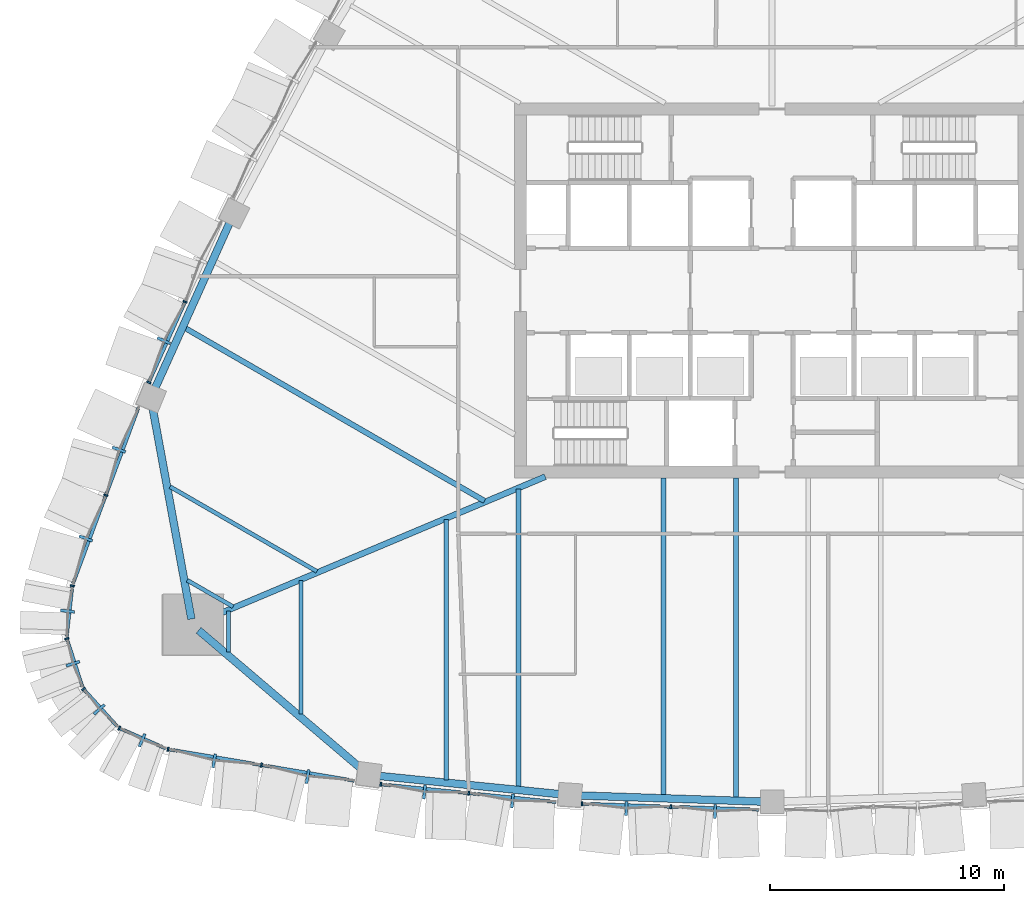
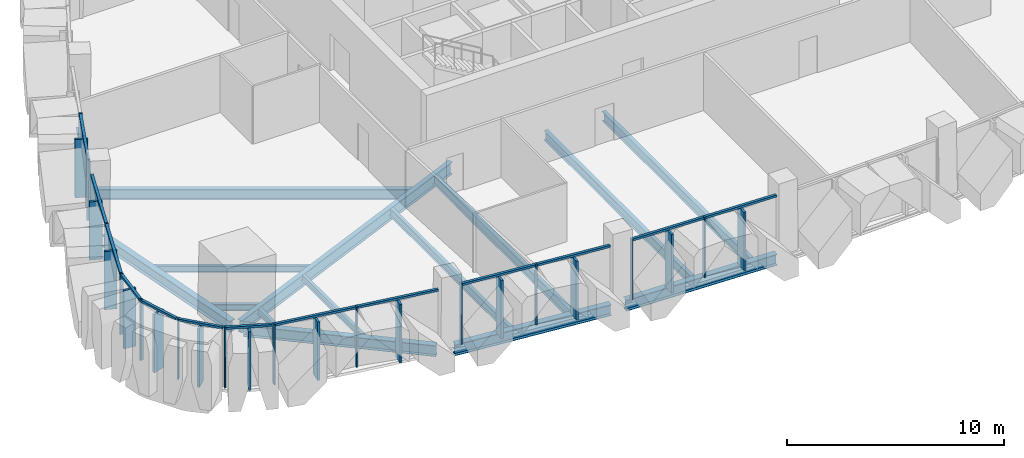
# One storey, part 2 of 18: 39 members, 15 beams, 9 elements without a shape of their own.
"""IFC4 building model written with IfcOpenShell, lengths in metres."""

import ifcopenshell
import ifcopenshell.guid

model = None  # the IFC model being written
_history = None  # IfcOwnerHistory: only IFC2X3 demands one
_inside = {}  # id of a spatial element -> (the spatial element, [elements in it])
_under = {}  # id of a project, library or spatial element -> (it, [spatial elements below it])
_declared = {}  # id of a project -> (the project, [libraries it declares])
_typed = {}  # id of a type object -> (the type object, [elements of that type])
_made_of = {}  # id of a material, layer set ... -> (it, [elements and type objects made of it])


def new_model(schema):
    """Start an empty IFC model of exactly this schema.

    Asked for "IFC4X3", IfcOpenShell would pick the latest addendum, in which some entities
    have other attributes; the version numbers below select the first issue.
    IFC2X3 requires an IfcOwnerHistory on every rooted entity: one is made here for all.
    """
    global model, _history
    if schema == "IFC4X3":
        model = ifcopenshell.file(schema_version=(4, 3, 0, 0))
    else:
        model = ifcopenshell.file(schema=schema)
    _inside.clear()
    _under.clear()
    _declared.clear()
    _typed.clear()
    _made_of.clear()
    _history = None
    if model.schema == "IFC2X3":
        org = make("IfcOrganization", Name="unknown")
        user = make(
            "IfcPersonAndOrganization",
            ThePerson=make("IfcPerson", FamilyName="unknown"),
            TheOrganization=org,
        )
        app = make(
            "IfcApplication",
            ApplicationDeveloper=org,
            Version="unknown",
            ApplicationFullName="unknown",
            ApplicationIdentifier="unknown",
        )
        _history = make(
            "IfcOwnerHistory",
            OwningUser=user,
            OwningApplication=app,
            ChangeAction="ADDED",
            CreationDate=0,
        )
    return model


def make(cls, **values):
    """One entity of the class cls with the attributes given. An attribute that is None is left unset."""
    return model.create_entity(
        cls, **{name: value for name, value in values.items() if value is not None}
    )


def rooted(cls, **values):
    """An entity with a GlobalId (a new one), such as an element, a storey or a relation."""
    return make(cls, GlobalId=ifcopenshell.guid.new(), OwnerHistory=_history, **values)


def si_unit(unit_type, name, prefix=None):
    """IfcSIUnit, for example si_unit("LENGTHUNIT", "METRE", prefix="MILLI")."""
    return make("IfcSIUnit", UnitType=unit_type, Prefix=prefix, Name=name)


def assignment(units):
    """IfcUnitAssignment: the units of a project."""
    return None if units is None else make("IfcUnitAssignment", Units=units)


def point(xyz):
    """IfcCartesianPoint."""
    return None if xyz is None else make("IfcCartesianPoint", Coordinates=xyz)


def direction(xyz):
    """IfcDirection."""
    return None if xyz is None else make("IfcDirection", DirectionRatios=xyz)


def frame(location, z_axis=None, x_axis=None):
    """IfcAxis2Placement3D, a coordinate frame: its origin and axes. An axis left out is left unset."""
    return make(
        "IfcAxis2Placement3D",
        Location=point(location),
        Axis=direction(z_axis),
        RefDirection=direction(x_axis),
    )


def frame_2d(location, x_axis=None):
    """IfcAxis2Placement2D, a coordinate frame in the plane: its origin and x axis."""
    return make(
        "IfcAxis2Placement2D", Location=point(location), RefDirection=direction(x_axis)
    )


def origin():
    """The frame at (0, 0, 0) with its axes left unset."""
    return frame((0.0, 0.0, 0.0))


def origin_2d():
    """The frame at (0, 0) in the plane with its x axis left unset."""
    return frame_2d((0.0, 0.0))


def place(relative_to, where):
    """IfcLocalPlacement: puts the frame where relative to a parent placement (None: the world)."""
    return make(
        "IfcLocalPlacement", PlacementRelTo=relative_to, RelativePlacement=where
    )


def context(
    kind, dimensions, precision=None, world=None, true_north=None, identifier=None
):
    """IfcGeometricRepresentationContext, for example the 3D "Model" context."""
    return make(
        "IfcGeometricRepresentationContext",
        ContextIdentifier=identifier,
        ContextType=kind,
        CoordinateSpaceDimension=dimensions,
        Precision=precision,
        WorldCoordinateSystem=world,
        TrueNorth=true_north,
    )


def subcontext(parent, identifier, kind, view, scale=None):
    """IfcGeometricRepresentationSubContext, for example "Body" below "Model"."""
    return make(
        "IfcGeometricRepresentationSubContext",
        ContextIdentifier=identifier,
        ContextType=kind,
        ParentContext=parent,
        TargetScale=scale,
        TargetView=view,
    )


def project(units=None, contexts=None):
    """IfcProject with its units and contexts."""
    return rooted(
        "IfcProject",
        Name="project",
        RepresentationContexts=contexts,
        UnitsInContext=assignment(units),
    )


def spatial(cls, under=None, at=None, **own):
    """A site, building, storey or space (cls), placed at a placement, below another one or the project."""
    s = rooted(cls, ObjectPlacement=at, **own)
    if under is not None:
        _under.setdefault(under.id(), (under, []))[1].append(s)
    return s


def profile(cls, at=None, kind="AREA", **sizes):
    """A parametric profile (cls). Its sizes go by their IFC names, for example OverallWidth=200.0."""
    return make(cls, ProfileType=kind, Position=at, **sizes)


def rectangle(**sizes):
    """IfcRectangleProfileDef."""
    return profile("IfcRectangleProfileDef", **sizes)


def i_section(**sizes):
    """IfcIShapeProfileDef."""
    return profile("IfcIShapeProfileDef", **sizes)


def extrude(swept, where, along, depth):
    """IfcExtrudedAreaSolid: the profile swept, set in the frame where, extruded along a direction by depth."""
    return make(
        "IfcExtrudedAreaSolid",
        SweptArea=swept,
        Position=where,
        ExtrudedDirection=direction(along),
        Depth=depth,
    )


def shape(context_of_items, identifier, shape_type, items):
    """IfcShapeRepresentation: the items that make up one representation, for example the "Body"."""
    return make(
        "IfcShapeRepresentation",
        ContextOfItems=context_of_items,
        RepresentationIdentifier=identifier,
        RepresentationType=shape_type,
        Items=items,
    )


def material(Name=None, Category=None):
    """IfcMaterial."""
    return make("IfcMaterial", Name=Name, Category=Category)


def layer(
    of_material, thickness, ventilated=None, Name=None, Category=None, Priority=None
):
    """IfcMaterialLayer: one layer of a wall or slab, of a material (None: an air gap)."""
    return make(
        "IfcMaterialLayer",
        Material=of_material,
        LayerThickness=thickness,
        IsVentilated=ventilated,
        Name=Name,
        Category=Category,
        Priority=Priority,
    )


def layer_set(layers, Name=None):
    """IfcMaterialLayerSet."""
    return make("IfcMaterialLayerSet", MaterialLayers=layers, LayerSetName=Name)


def material_profile(
    of_material, cross_section, Name=None, Category=None, Priority=None
):
    """IfcMaterialProfile: a cross section and its material."""
    return make(
        "IfcMaterialProfile",
        Name=Name,
        Material=of_material,
        Profile=cross_section,
        Priority=Priority,
        Category=Category,
    )


def profile_set(profiles, Name=None, composite=None):
    """IfcMaterialProfileSet."""
    return make(
        "IfcMaterialProfileSet",
        Name=Name,
        MaterialProfiles=profiles,
        CompositeProfile=composite,
    )


def made_of(thing, what):
    """Note that an element or type object is made of a material, layer set ...; save() writes the relation."""
    if what is not None:
        _made_of.setdefault(what.id(), (what, []))[1].append(thing)
    return thing


def type_object(cls, material=None, **own):
    """A type object (cls), such as IfcWallType, which elements share."""
    return made_of(rooted(cls, **own), material)


def element(
    cls,
    number,
    at=None,
    inside=None,
    cuts=None,
    type_object=None,
    material=None,
    context=None,
    identifier="Body",
    shape_type=None,
    held_by="IfcProductDefinitionShape",
    body=None,
    shapes=None,
    **own,
):
    """One element of the class cls, such as IfcWall. Its Tag is "e" and its number.

    at: its placement. inside: the storey or other place that contains it. cuts: it is an
    opening in that element (IfcRelVoidsElement). A single representation is given by context,
    identifier, shape_type and body (its items); several are given by shapes. held_by: the class
    of the entity that holds the representations. save() writes the other relations.
    """
    e = rooted(cls, Tag="e%d" % number, ObjectPlacement=at, **own)
    if body is not None:
        shapes = [shape(context, identifier, shape_type, body)]
    if shapes is not None:
        e.Representation = make(held_by, Representations=shapes)
    if inside is not None:
        _inside.setdefault(inside.id(), (inside, []))[1].append(e)
    if cuts is not None:
        rooted(
            "IfcRelVoidsElement", RelatingBuildingElement=cuts, RelatedOpeningElement=e
        )
    if type_object is not None:
        _typed.setdefault(type_object.id(), (type_object, []))[1].append(e)
    return made_of(e, material)


def aggregate(whole, parts):
    """IfcRelAggregates: a whole, such as a stair, and the parts it consists of."""
    return rooted("IfcRelAggregates", RelatingObject=whole, RelatedObjects=parts)


def save(model, path):
    """Write the relations noted so far, then the file.

    IfcRelAggregates (storeys below a building ...), IfcRelContainedInSpatialStructure (elements
    in a storey), IfcRelDefinesByType, IfcRelAssociatesMaterial and IfcRelDeclares: one each for
    every whole, place, type object, material and project.
    """
    for whole, parts in _under.values():
        aggregate(whole, parts)
    for where, things in _inside.values():
        rooted(
            "IfcRelContainedInSpatialStructure",
            RelatedElements=things,
            RelatingStructure=where,
        )
    for kind, things in _typed.values():
        rooted("IfcRelDefinesByType", RelatedObjects=things, RelatingType=kind)
    for what, things in _made_of.values():
        rooted("IfcRelAssociatesMaterial", RelatedObjects=things, RelatingMaterial=what)
    for by, libraries in _declared.values():
        rooted("IfcRelDeclares", RelatingContext=by, RelatedDefinitions=libraries)
    model.write(path)


model = new_model("IFC4")

# Units and contexts
model_context = context("Model", 3, precision=1e-05, world=origin(), true_north=direction((0.0, 1.0)))
body_context = subcontext(model_context, "Body", "Model", "MODEL_VIEW")
ifc_project = project(units=[si_unit("LENGTHUNIT", "METRE"), si_unit("AREAUNIT", "SQUARE_METRE"), si_unit("VOLUMEUNIT", "CUBIC_METRE"), si_unit("PLANEANGLEUNIT", "RADIAN"), si_unit("MASSUNIT", "GRAM", prefix="KILO")], contexts=[model_context])

# Site, building, storey
site_placement = place(None, origin())
site = spatial("IfcSite", under=ifc_project, at=site_placement, CompositionType="ELEMENT")
building_placement = place(site_placement, origin())
building = spatial("IfcBuilding", under=site, at=building_placement, Name="Sierra Prisma Convention Tower", CompositionType="ELEMENT")
storey_placement = place(building_placement, frame((0.0, 0.0, 137.800048828125)))
storey = spatial("IfcBuildingStorey", under=building, at=storey_placement, Name="L29", CompositionType="ELEMENT", Elevation=137.800048828125)

# Curtain wall, members
ifc_material_1 = material(Name="Aluminium and glass curtain wall", Category="aluminium")
ifc_layer = layer(ifc_material_1, 0.179931640625)
ifc_layer_set = layer_set([ifc_layer], Name="CW-2 Faceted crystal curtain wall")
curtain_wall_type = type_object("IfcCurtainWallType", Name="CW-2 Faceted crystal curtain wall", PredefinedType="NOTDEFINED", material=ifc_layer_set)
curtain_wall_1_placement = place(storey_placement, origin())
curtain_wall_1 = element("IfcCurtainWall", 1, at=curtain_wall_1_placement, inside=storey, type_object=curtain_wall_type, Name="CW-2 S1 L29", PredefinedType="NOTDEFINED")
ifc_material_2 = material(Name="Aluminium 6063-T6 bronze anodised", Category="aluminium")
ifc_material_profile_1 = material_profile(ifc_material_2, rectangle(XDim=0.1201171875, YDim=0.60009765625, at=origin_2d()), Name="ALU RIDGE BLADE 120x600")
ifc_profile_set_1 = profile_set([ifc_material_profile_1], Name="Aluminium 6063-T6 bronze anodised")
member_type_1 = type_object("IfcMemberType", Name="CW hip bronze", PredefinedType="MULLION", material=ifc_profile_set_1)
member_1_placement = place(storey_placement, frame((-23.8330078125, -20.09033203125, 0.0), z_axis=(0.0, 0.0, 1.0), x_axis=(0.985996843714, -0.16676397748, 0.0)))
member_1 = element("IfcMember", 2, at=member_1_placement, type_object=member_type_1, Name="CW-2 ridge S1.1", PredefinedType="MULLION", context=body_context, shape_type="SweptSolid", body=[
    extrude(rectangle(XDim=0.1201171875, YDim=0.60009765625, at=origin_2d()), origin(), (0.0, 0.0, 1.0), 3.280029296875),
])
member_2_placement = place(storey_placement, frame((-19.840087890625, -20.765625, 0.0), z_axis=(0.0, 0.0, 1.0), x_axis=(0.985996843714, -0.16676397748, 0.0)))
member_2 = element("IfcMember", 3, at=member_2_placement, type_object=member_type_1, Name="CW-2 ridge S1.2", PredefinedType="MULLION", context=body_context, shape_type="SweptSolid", body=[
    extrude(rectangle(XDim=0.1201171875, YDim=0.60009765625, at=origin_2d()), origin(), (0.0, 0.0, 1.0), 3.280029296875),
])

curtain_wall_2_placement = place(storey_placement, origin())
curtain_wall_2 = element("IfcCurtainWall", 4, at=curtain_wall_2_placement, inside=storey, type_object=curtain_wall_type, Name="CW-2 S2 L29", PredefinedType="NOTDEFINED")
member_3_placement = place(storey_placement, frame((-14.8486328125, -21.430908203125, 0.0), z_axis=(0.0, 0.0, 1.0), x_axis=(0.994951308245, -0.100358827318, 0.0)))
member_3 = element("IfcMember", 5, at=member_3_placement, type_object=member_type_1, Name="CW-2 ridge S2.1", PredefinedType="MULLION", context=body_context, shape_type="SweptSolid", body=[
    extrude(rectangle(XDim=0.1201171875, YDim=0.60009765625, at=origin_2d()), origin(), (0.0, 0.0, 1.0), 3.280029296875),
])
member_4_placement = place(storey_placement, frame((-11.090576171875, -21.81005859375, 0.0), z_axis=(0.0, 0.0, 1.0), x_axis=(0.994951308245, -0.100358827318, 0.0)))
member_4 = element("IfcMember", 6, at=member_4_placement, type_object=member_type_1, Name="CW-2 ridge S2.2", PredefinedType="MULLION", context=body_context, shape_type="SweptSolid", body=[
    extrude(rectangle(XDim=0.1201171875, YDim=0.60009765625, at=origin_2d()), origin(), (0.0, 0.0, 1.0), 3.280029296875),
])

curtain_wall_3_placement = place(storey_placement, origin())
curtain_wall_3 = element("IfcCurtainWall", 7, at=curtain_wall_3_placement, inside=storey, type_object=curtain_wall_type, Name="CW-2 S3 L29", PredefinedType="NOTDEFINED")
member_5_placement = place(storey_placement, frame((-6.226318359375, -22.136474609375, 0.0), z_axis=(0.0, 0.0, 1.0), x_axis=(0.999438614123, -0.033503083443, 0.0)))
member_5 = element("IfcMember", 8, at=member_5_placement, type_object=member_type_1, Name="CW-2 ridge S3.1", PredefinedType="MULLION", context=body_context, shape_type="SweptSolid", body=[
    extrude(rectangle(XDim=0.1201171875, YDim=0.60009765625, at=origin_2d()), origin(), (0.0, 0.0, 1.0), 3.280029296875),
])
member_6_placement = place(storey_placement, frame((-2.435302734375, -22.263427734375, 0.0), z_axis=(0.0, 0.0, 1.0), x_axis=(0.999438614123, -0.033503083443, 0.0)))
member_6 = element("IfcMember", 9, at=member_6_placement, type_object=member_type_1, Name="CW-2 ridge S3.2", PredefinedType="MULLION", context=body_context, shape_type="SweptSolid", body=[
    extrude(rectangle(XDim=0.1201171875, YDim=0.60009765625, at=origin_2d()), origin(), (0.0, 0.0, 1.0), 3.280029296875),
])

# Curtain wall, member
curtain_wall_4_placement = place(storey_placement, origin())
curtain_wall_4 = element("IfcCurtainWall", 10, at=curtain_wall_4_placement, inside=storey, type_object=curtain_wall_type, Name="CW-2 NW5 L29", PredefinedType="NOTDEFINED")
member_7_placement = place(storey_placement, frame((-25.984130859375, -2.143798828125, 0.0), z_axis=(0.0, 0.0, 1.0), x_axis=(-0.410562360171, -0.911832522128, 0.0)))
member_7 = element("IfcMember", 11, at=member_7_placement, type_object=member_type_1, Name="CW-2 ridge NW5.2", PredefinedType="MULLION", context=body_context, shape_type="SweptSolid", body=[
    extrude(rectangle(XDim=0.1201171875, YDim=0.60009765625, at=origin_2d()), origin(), (0.0, 0.0, 1.0), 3.280029296875),
])

# Curtain wall, members
curtain_wall_5_placement = place(storey_placement, origin())
curtain_wall_5 = element("IfcCurtainWall", 12, at=curtain_wall_5_placement, inside=storey, type_object=curtain_wall_type, Name="CW-2 NW6 L29", PredefinedType="NOTDEFINED")
member_8_placement = place(storey_placement, frame((-27.903564453125, -6.79931640625, 0.0), z_axis=(0.0, 0.0, 1.0), x_axis=(-0.348576580923, -0.937280303448, 0.0)))
member_8 = element("IfcMember", 13, at=member_8_placement, type_object=member_type_1, Name="CW-2 ridge NW6.1", PredefinedType="MULLION", context=body_context, shape_type="SweptSolid", body=[
    extrude(rectangle(XDim=0.1201171875, YDim=0.60009765625, at=origin_2d()), origin(), (0.0, 0.0, 1.0), 3.280029296875),
])
member_9_placement = place(storey_placement, frame((-29.315185546875, -10.594970703125, 0.0), z_axis=(0.0, 0.0, 1.0), x_axis=(-0.348576580923, -0.937280303448, 0.0)))
member_9 = element("IfcMember", 14, at=member_9_placement, type_object=member_type_1, Name="CW-2 ridge NW6.2", PredefinedType="MULLION", context=body_context, shape_type="SweptSolid", body=[
    extrude(rectangle(XDim=0.1201171875, YDim=0.60009765625, at=origin_2d()), origin(), (0.0, 0.0, 1.0), 3.280029296875),
])

# Curtain wall, member
curtain_wall_6_placement = place(storey_placement, origin())
curtain_wall_6 = element("IfcCurtainWall", 15, at=curtain_wall_6_placement, inside=storey, type_object=curtain_wall_type, Name="CW-2 SW1 L29", PredefinedType="NOTDEFINED")
member_10_placement = place(storey_placement, frame((-30.095458984375, -13.69921875, 0.0), z_axis=(0.0, 0.0, 1.0), x_axis=(-0.110779450688, -0.993845014731, 0.0)))
member_10 = element("IfcMember", 16, at=member_10_placement, type_object=member_type_1, Name="CW-2 ridge SW1.1", PredefinedType="MULLION", context=body_context, shape_type="SweptSolid", body=[
    extrude(rectangle(XDim=0.1201171875, YDim=0.60009765625, at=origin_2d()), origin(), (0.0, 0.0, 1.0), 3.280029296875),
])

curtain_wall_7_placement = place(storey_placement, origin())
curtain_wall_7 = element("IfcCurtainWall", 17, at=curtain_wall_7_placement, inside=storey, type_object=curtain_wall_type, Name="CW-2 SW2 L29", PredefinedType="NOTDEFINED")
member_11_placement = place(storey_placement, frame((-29.869140625, -15.94287109375, 0.0), z_axis=(0.0, 0.0, 1.0), x_axis=(0.307023048972, -0.951702079119, 0.0)))
member_11 = element("IfcMember", 18, at=member_11_placement, type_object=member_type_1, Name="CW-2 ridge SW2.1", PredefinedType="MULLION", context=body_context, shape_type="SweptSolid", body=[
    extrude(rectangle(XDim=0.1201171875, YDim=0.60009765625, at=origin_2d()), origin(), (0.0, 0.0, 1.0), 3.280029296875),
])

curtain_wall_8_placement = place(storey_placement, origin())
curtain_wall_8 = element("IfcCurtainWall", 19, at=curtain_wall_8_placement, inside=storey, type_object=curtain_wall_type, Name="CW-2 SW3 L29", PredefinedType="NOTDEFINED")
member_12_placement = place(storey_placement, frame((-28.74169921875, -17.89599609375, 0.0), z_axis=(0.0, 0.0, 1.0), x_axis=(0.670686652866, -0.741740799517, 0.0)))
member_12 = element("IfcMember", 20, at=member_12_placement, type_object=member_type_1, Name="CW-2 ridge SW3.1", PredefinedType="MULLION", context=body_context, shape_type="SweptSolid", body=[
    extrude(rectangle(XDim=0.1201171875, YDim=0.60009765625, at=origin_2d()), origin(), (0.0, 0.0, 1.0), 3.280029296875),
])

curtain_wall_9_placement = place(storey_placement, origin())
curtain_wall_9 = element("IfcCurtainWall", 21, at=curtain_wall_9_placement, inside=storey, type_object=curtain_wall_type, Name="CW-2 SW4 L29", PredefinedType="NOTDEFINED")
member_13_placement = place(storey_placement, frame((-26.91162109375, -19.2138671875, 0.0), z_axis=(0.0, 0.0, 1.0), x_axis=(0.916084755525, -0.400984688853, 0.0)))
member_13 = element("IfcMember", 22, at=member_13_placement, type_object=member_type_1, Name="CW-2 ridge SW4.1", PredefinedType="MULLION", context=body_context, shape_type="SweptSolid", body=[
    extrude(rectangle(XDim=0.1201171875, YDim=0.60009765625, at=origin_2d()), origin(), (0.0, 0.0, 1.0), 3.280029296875),
])

# Member
ifc_material_3 = material(Name="Aluminium 6063-T6 bronze anodised", Category="aluminium")
ifc_material_profile_2 = material_profile(ifc_material_3, rectangle(XDim=0.179931640625, YDim=0.070068359375, at=origin_2d()), Name="ALU MULLION 70x180")
ifc_profile_set_2 = profile_set([ifc_material_profile_2], Name="Aluminium 6063-T6 bronze anodised")
member_type_2 = type_object("IfcMemberType", Name="CW mullion bronze", PredefinedType="MULLION", material=ifc_profile_set_2)
member_14_placement = place(storey_placement, frame((-25.803466796875, -19.59814453125, 0.0), z_axis=(0.0, 0.0, 1.0), x_axis=(0.16676397748, 0.985996843714, 0.0)))
member_14 = element("IfcMember", 23, at=member_14_placement, type_object=member_type_2, Name="CW-1 mullion S1.1", PredefinedType="MULLION", context=body_context, shape_type="SweptSolid", body=[
    extrude(rectangle(XDim=0.179931640625, YDim=0.070068359375, at=origin_2d()), origin(), (0.0, 0.0, 1.0), 3.39990234375),
])

member_15_placement = place(storey_placement, frame((-21.810546875, -20.2734375, 0.0), z_axis=(0.0, 0.0, 1.0), x_axis=(0.16676397748, 0.985996843714, 0.0)))
member_15 = element("IfcMember", 24, at=member_15_placement, type_object=member_type_2, Name="CW-1 mullion S1.2", PredefinedType="MULLION", context=body_context, shape_type="SweptSolid", body=[
    extrude(rectangle(XDim=0.179931640625, YDim=0.070068359375, at=origin_2d()), origin(), (0.0, 0.0, 1.0), 3.39990234375),
])

member_16_placement = place(storey_placement, frame((-16.713134765625, -21.09619140625, 0.0), z_axis=(0.0, 0.0, 1.0), x_axis=(0.100358827318, 0.994951308245, 0.0)))
member_16 = element("IfcMember", 25, at=member_16_placement, type_object=member_type_2, Name="CW-1 mullion S2.1", PredefinedType="MULLION", context=body_context, shape_type="SweptSolid", body=[
    extrude(rectangle(XDim=0.179931640625, YDim=0.070068359375, at=origin_2d()), origin(), (0.0, 0.0, 1.0), 3.39990234375),
])

member_17_placement = place(storey_placement, frame((-12.954833984375, -21.475341796875, 0.0), z_axis=(0.0, 0.0, 1.0), x_axis=(0.100358827318, 0.994951308245, 0.0)))
member_17 = element("IfcMember", 26, at=member_17_placement, type_object=member_type_2, Name="CW-1 mullion S2.2", PredefinedType="MULLION", context=body_context, shape_type="SweptSolid", body=[
    extrude(rectangle(XDim=0.179931640625, YDim=0.070068359375, at=origin_2d()), origin(), (0.0, 0.0, 1.0), 3.39990234375),
])

member_18_placement = place(storey_placement, frame((-8.1171875, -21.926513671875, 0.0), z_axis=(0.0, 0.0, 1.0), x_axis=(0.033503083443, 0.999438614123, 0.0)))
member_18 = element("IfcMember", 27, at=member_18_placement, type_object=member_type_2, Name="CW-1 mullion S3.1", PredefinedType="MULLION", context=body_context, shape_type="SweptSolid", body=[
    extrude(rectangle(XDim=0.179931640625, YDim=0.070068359375, at=origin_2d()), origin(), (0.0, 0.0, 1.0), 3.39990234375),
])

member_19_placement = place(storey_placement, frame((-4.325927734375, -22.053466796875, 0.0), z_axis=(0.0, 0.0, 1.0), x_axis=(0.033503083443, 0.999438614123, 0.0)))
member_19 = element("IfcMember", 28, at=member_19_placement, type_object=member_type_2, Name="CW-1 mullion S3.2", PredefinedType="MULLION", context=body_context, shape_type="SweptSolid", body=[
    extrude(rectangle(XDim=0.179931640625, YDim=0.070068359375, at=origin_2d()), origin(), (0.0, 0.0, 1.0), 3.39990234375),
])

member_20_placement = place(storey_placement, frame((-25.07568359375, -0.481689453125, 0.0), z_axis=(0.0, 0.0, 1.0), x_axis=(0.911832522128, -0.410562360171, 0.0)))
member_20 = element("IfcMember", 29, at=member_20_placement, type_object=member_type_2, Name="CW-1 mullion NW5.2", PredefinedType="MULLION", context=body_context, shape_type="SweptSolid", body=[
    extrude(rectangle(XDim=0.179931640625, YDim=0.070068359375, at=origin_2d()), origin(), (0.0, 0.0, 1.0), 3.39990234375),
])

member_21_placement = place(storey_placement, frame((-26.62646484375, -3.92578125, 0.0), z_axis=(0.0, 0.0, 1.0), x_axis=(0.911832522128, -0.410562360171, 0.0)))
member_21 = element("IfcMember", 30, at=member_21_placement, type_object=member_type_2, Name="CW-1 mullion NW5.3", PredefinedType="MULLION", context=body_context, shape_type="SweptSolid", body=[
    extrude(rectangle(XDim=0.179931640625, YDim=0.070068359375, at=origin_2d()), origin(), (0.0, 0.0, 1.0), 3.39990234375),
])

member_22_placement = place(storey_placement, frame((-28.462646484375, -8.751708984375, 0.0), z_axis=(0.0, 0.0, 1.0), x_axis=(0.937280303448, -0.348576580923, 0.0)))
member_22 = element("IfcMember", 31, at=member_22_placement, type_object=member_type_2, Name="CW-1 mullion NW6.2", PredefinedType="MULLION", context=body_context, shape_type="SweptSolid", body=[
    extrude(rectangle(XDim=0.179931640625, YDim=0.070068359375, at=origin_2d()), origin(), (0.0, 0.0, 1.0), 3.39990234375),
])

member_23_placement = place(storey_placement, frame((-29.890380859375, -12.614990234375, 0.0), z_axis=(0.0, 0.0, 1.0), x_axis=(0.993845014731, -0.110779450688, 0.0)))
member_23 = element("IfcMember", 32, at=member_23_placement, type_object=member_type_2, Name="CW-1 mullion SW1.1", PredefinedType="MULLION", context=body_context, shape_type="SweptSolid", body=[
    extrude(rectangle(XDim=0.179931640625, YDim=0.070068359375, at=origin_2d()), origin(), (0.0, 0.0, 1.0), 3.39990234375),
])

member_24_placement = place(storey_placement, frame((-30.127197265625, -14.8701171875, 0.0), z_axis=(0.0, 0.0, 1.0), x_axis=(0.951702079119, 0.307023048972, 0.0)))
member_24 = element("IfcMember", 33, at=member_24_placement, type_object=member_type_2, Name="CW-1 mullion SW2.1", PredefinedType="MULLION", context=body_context, shape_type="SweptSolid", body=[
    extrude(rectangle(XDim=0.179931640625, YDim=0.070068359375, at=origin_2d()), origin(), (0.0, 0.0, 1.0), 3.39990234375),
])

member_25_placement = place(storey_placement, frame((-29.41748046875, -17.023681640625, 0.0), z_axis=(0.0, 0.0, 1.0), x_axis=(0.741740799517, 0.670686652866, 0.0)))
member_25 = element("IfcMember", 34, at=member_25_placement, type_object=member_type_2, Name="CW-1 mullion SW3.1", PredefinedType="MULLION", context=body_context, shape_type="SweptSolid", body=[
    extrude(rectangle(XDim=0.179931640625, YDim=0.070068359375, at=origin_2d()), origin(), (0.0, 0.0, 1.0), 3.39990234375),
])

member_26_placement = place(storey_placement, frame((-27.885986328125, -18.69580078125, 0.0), z_axis=(0.0, 0.0, 1.0), x_axis=(0.400984688853, 0.916084755525, 0.0)))
member_26 = element("IfcMember", 35, at=member_26_placement, type_object=member_type_2, Name="CW-1 mullion SW4.1", PredefinedType="MULLION", context=body_context, shape_type="SweptSolid", body=[
    extrude(rectangle(XDim=0.179931640625, YDim=0.070068359375, at=origin_2d()), origin(), (0.0, 0.0, 1.0), 3.39990234375),
])

ifc_material_4 = material(Name="Aluminium 6063-T6 bronze anodised", Category="aluminium")
ifc_material_profile_3 = material_profile(ifc_material_4, rectangle(XDim=0.139892578125, YDim=0.1201171875, at=origin_2d()), Name="ALU TRANSOM 120x140")
ifc_profile_set_3 = profile_set([ifc_material_profile_3], Name="Aluminium 6063-T6 bronze anodised")
member_type_3 = type_object("IfcMemberType", Name="CW transom bronze", PredefinedType="USERDEFINED", material=ifc_profile_set_3)
member_27_placement = place(storey_placement, frame((-25.76904296875, -19.60400390625, 3.33984375), z_axis=(0.986001528629, -0.166736275419, 0.0), x_axis=(0.166736275419, 0.986001528629, 0.0)))
member_27 = element("IfcMember", 36, at=member_27_placement, type_object=member_type_3, Name="CW-1 transom S1.1", ObjectType="TRANSOM", PredefinedType="USERDEFINED", context=body_context, shape_type="SweptSolid", body=[
    extrude(rectangle(XDim=0.139892578125, YDim=0.1201171875, at=origin_2d()), origin(), (0.0, 0.0, 1.0), 3.979736328125),
])

member_28_placement = place(storey_placement, frame((-21.77587890625, -20.279296875, 3.33984375), z_axis=(0.985989734825, -0.166806003546, 0.0), x_axis=(0.166806003546, 0.985989734825, 0.0)))
member_28 = element("IfcMember", 37, at=member_28_placement, type_object=member_type_3, Name="CW-1 transom S1.2", ObjectType="TRANSOM", PredefinedType="USERDEFINED", context=body_context, shape_type="SweptSolid", body=[
    extrude(rectangle(XDim=0.139892578125, YDim=0.1201171875, at=origin_2d()), origin(), (0.0, 0.0, 1.0), 3.9794921875),
])

aggregate(curtain_wall_1, [member_14, member_15, member_27, member_1, member_28, member_2])

member_29_placement = place(storey_placement, frame((-16.67822265625, -21.099853515625, 3.33984375), z_axis=(0.994950748887, -0.100364372604, 0.0), x_axis=(0.100364372604, 0.994950748887, 0.0)))
member_29 = element("IfcMember", 38, at=member_29_placement, type_object=member_type_3, Name="CW-1 transom S2.1", ObjectType="TRANSOM", PredefinedType="USERDEFINED", context=body_context, shape_type="SweptSolid", body=[
    extrude(rectangle(XDim=0.139892578125, YDim=0.1201171875, at=origin_2d()), origin(), (0.0, 0.0, 1.0), 3.707275390625),
])

member_30_placement = place(storey_placement, frame((-12.920166015625, -21.478759765625, 3.33984375), z_axis=(0.994950748887, -0.100364372604, 0.0), x_axis=(0.100364372604, 0.994950748887, 0.0)))
member_30 = element("IfcMember", 39, at=member_30_placement, type_object=member_type_3, Name="CW-1 transom S2.2", ObjectType="TRANSOM", PredefinedType="USERDEFINED", context=body_context, shape_type="SweptSolid", body=[
    extrude(rectangle(XDim=0.139892578125, YDim=0.1201171875, at=origin_2d()), origin(), (0.0, 0.0, 1.0), 3.707275390625),
])

aggregate(curtain_wall_2, [member_16, member_17, member_29, member_3, member_30, member_4])

member_31_placement = place(storey_placement, frame((-8.08203125, -21.927734375, 3.33984375), z_axis=(0.999438484207, -0.033506958761, 0.0), x_axis=(0.033506958761, 0.999438484207, 0.0)))
member_31 = element("IfcMember", 40, at=member_31_placement, type_object=member_type_3, Name="CW-1 transom S3.1", ObjectType="TRANSOM", PredefinedType="USERDEFINED", context=body_context, shape_type="SweptSolid", body=[
    extrude(rectangle(XDim=0.139892578125, YDim=0.1201171875, at=origin_2d()), origin(), (0.0, 0.0, 1.0), 3.723388671875),
])

member_32_placement = place(storey_placement, frame((-4.291015625, -22.0546875, 3.33984375), z_axis=(0.999438557818, -0.033504763042, 0.0), x_axis=(0.033504763042, 0.999438557818, 0.0)))
member_32 = element("IfcMember", 41, at=member_32_placement, type_object=member_type_3, Name="CW-1 transom S3.2", ObjectType="TRANSOM", PredefinedType="USERDEFINED", context=body_context, shape_type="SweptSolid", body=[
    extrude(rectangle(XDim=0.139892578125, YDim=0.1201171875, at=origin_2d()), origin(), (0.0, 0.0, 1.0), 3.7236328125),
])

aggregate(curtain_wall_3, [member_18, member_19, member_31, member_5, member_32, member_6])

member_33_placement = place(storey_placement, frame((-25.090087890625, -0.513427734375, 3.33984375), z_axis=(-0.410545396355, -0.911840160078, 0.0), x_axis=(0.911840160078, -0.410545396355, 0.0)))
member_33 = element("IfcMember", 42, at=member_33_placement, type_object=member_type_3, Name="CW-1 transom NW5.2", ObjectType="TRANSOM", PredefinedType="USERDEFINED", context=body_context, shape_type="SweptSolid", body=[
    extrude(rectangle(XDim=0.139892578125, YDim=0.1201171875, at=origin_2d()), origin(), (0.0, 0.0, 1.0), 3.707275390625),
])

aggregate(curtain_wall_4, [member_20, member_21, member_33, member_7])

member_34_placement = place(storey_placement, frame((-27.063232421875, -4.98876953125, 3.33984375), z_axis=(-0.348560775136, -0.937286181503, 0.0), x_axis=(0.937286181503, -0.348560775136, 0.0)))
member_34 = element("IfcMember", 43, at=member_34_placement, type_object=member_type_3, Name="CW-1 transom NW6.1", ObjectType="TRANSOM", PredefinedType="USERDEFINED", context=body_context, shape_type="SweptSolid", body=[
    extrude(rectangle(XDim=0.139892578125, YDim=0.1201171875, at=origin_2d()), origin(), (0.0, 0.0, 1.0), 3.979736328125),
])

member_35_placement = place(storey_placement, frame((-28.474853515625, -8.784423828125, 3.33984375), z_axis=(-0.348560775136, -0.937286181503, 0.0), x_axis=(0.937286181503, -0.348560775136, 0.0)))
member_35 = element("IfcMember", 44, at=member_35_placement, type_object=member_type_3, Name="CW-1 transom NW6.2", ObjectType="TRANSOM", PredefinedType="USERDEFINED", context=body_context, shape_type="SweptSolid", body=[
    extrude(rectangle(XDim=0.139892578125, YDim=0.1201171875, at=origin_2d()), origin(), (0.0, 0.0, 1.0), 3.979736328125),
])

aggregate(curtain_wall_5, [member_22, member_34, member_8, member_35, member_9])

member_36_placement = place(storey_placement, frame((-29.894287109375, -12.649658203125, 3.33984375), z_axis=(-0.110695642213, -0.993854352908, 0.0), x_axis=(0.993854352908, -0.110695642213, 0.0)))
member_36 = element("IfcMember", 45, at=member_36_placement, type_object=member_type_3, Name="CW-1 transom SW1.1", ObjectType="TRANSOM", PredefinedType="USERDEFINED", context=body_context, shape_type="SweptSolid", body=[
    extrude(rectangle(XDim=0.139892578125, YDim=0.1201171875, at=origin_2d()), origin(), (0.0, 0.0, 1.0), 2.130615234375),
])

aggregate(curtain_wall_6, [member_23, member_36, member_10])

member_37_placement = place(storey_placement, frame((-30.116455078125, -14.9033203125, 3.33984375), z_axis=(0.306965953528, -0.951720496456, 0.0), x_axis=(0.951720496456, 0.306965953528, 0.0)))
member_37 = element("IfcMember", 46, at=member_37_placement, type_object=member_type_3, Name="CW-1 transom SW2.1", ObjectType="TRANSOM", PredefinedType="USERDEFINED", context=body_context, shape_type="SweptSolid", body=[
    extrude(rectangle(XDim=0.139892578125, YDim=0.1201171875, at=origin_2d()), origin(), (0.0, 0.0, 1.0), 2.130615234375),
])

aggregate(curtain_wall_7, [member_24, member_37, member_11])

member_38_placement = place(storey_placement, frame((-29.393798828125, -17.049560546875, 3.33984375), z_axis=(0.670628207994, -0.741793641549, 0.0), x_axis=(0.741793641549, 0.670628207994, 0.0)))
member_38 = element("IfcMember", 47, at=member_38_placement, type_object=member_type_3, Name="CW-1 transom SW3.1", ObjectType="TRANSOM", PredefinedType="USERDEFINED", context=body_context, shape_type="SweptSolid", body=[
    extrude(rectangle(XDim=0.139892578125, YDim=0.1201171875, at=origin_2d()), origin(), (0.0, 0.0, 1.0), 2.13037109375),
])

aggregate(curtain_wall_8, [member_25, member_38, member_12])

member_39_placement = place(storey_placement, frame((-27.85400390625, -18.7099609375, 3.33984375), z_axis=(0.916107361194, -0.400933040252, 0.0), x_axis=(0.400933040252, 0.916107361194, 0.0)))
member_39 = element("IfcMember", 48, at=member_39_placement, type_object=member_type_3, Name="CW-1 transom SW4.1", ObjectType="TRANSOM", PredefinedType="USERDEFINED", context=body_context, shape_type="SweptSolid", body=[
    extrude(rectangle(XDim=0.139892578125, YDim=0.1201171875, at=origin_2d()), origin(), (0.0, 0.0, 1.0), 2.130615234375),
])

aggregate(curtain_wall_9, [member_26, member_39, member_13])

# Beams
ifc_material_5 = material(Name="Steel ASTM A992 Gr 50", Category="steel")
ifc_material_profile_4 = material_profile(ifc_material_5, i_section(OverallWidth=0.172119140625, OverallDepth=0.35791015625, WebThickness=0.0078125, FlangeThickness=0.01318359375, at=origin_2d()), Name="W360x57")
ifc_profile_set_4 = profile_set([ifc_material_profile_4], Name="Steel ASTM A992 Gr 50")
beam_type_1 = type_object("IfcBeamType", Name="Floor joist W360x57", PredefinedType="JOIST", material=ifc_profile_set_4)
beam_1_placement = place(storey_placement, frame((-23.210693359375, -15.447998046875, -0.3291015625), z_axis=(0.0, 1.0, 0.0), x_axis=(-1.0, 0.0, 0.0)))
element("IfcBeam", 49, at=beam_1_placement, inside=storey, type_object=beam_type_1, Name="Floor joist L29 S01", PredefinedType="JOIST", context=body_context, shape_type="SweptSolid", body=[
    extrude(i_section(OverallWidth=0.172119140625, OverallDepth=0.35791015625, WebThickness=0.0078125, FlangeThickness=0.01318359375, at=origin_2d()), origin(), (0.0, 0.0, 1.0), 1.749755859375),
])
beam_2_placement = place(storey_placement, frame((-20.115966796875, -18.082275390625, -0.3291015625), z_axis=(0.0, 1.0, 0.0), x_axis=(-1.0, 0.0, 0.0)))
element("IfcBeam", 50, at=beam_2_placement, inside=storey, type_object=beam_type_1, Name="Floor joist L29 S02", PredefinedType="JOIST", context=body_context, shape_type="SweptSolid", body=[
    extrude(i_section(OverallWidth=0.172119140625, OverallDepth=0.35791015625, WebThickness=0.0078125, FlangeThickness=0.01318359375, at=origin_2d()), origin(), (0.0, 0.0, 1.0), 5.686279296875),
])
beam_3_placement = place(storey_placement, frame((-25.7177734375, -8.379638671875, -0.3291015625), z_axis=(0.866017805824, -0.500013159823, 0.0), x_axis=(0.500013159823, 0.866017805824, 0.0)))
element("IfcBeam", 51, at=beam_3_placement, inside=storey, type_object=beam_type_1, Name="Floor joist L29 NW15", PredefinedType="JOIST", context=body_context, shape_type="SweptSolid", body=[
    extrude(i_section(OverallWidth=0.172119140625, OverallDepth=0.35791015625, WebThickness=0.0078125, FlangeThickness=0.01318359375, at=origin_2d()), origin(), (0.0, 0.0, 1.0), 7.245361328125),
])
beam_4_placement = place(storey_placement, frame((-24.983642578125, -12.377197265625, -0.3291015625), z_axis=(0.866031132047, -0.499990078228, 0.0), x_axis=(0.499990078228, 0.866031132047, 0.0)))
element("IfcBeam", 52, at=beam_4_placement, inside=storey, type_object=beam_type_1, Name="Floor joist L29 NW16", PredefinedType="JOIST", context=body_context, shape_type="SweptSolid", body=[
    extrude(i_section(OverallWidth=0.172119140625, OverallDepth=0.35791015625, WebThickness=0.0078125, FlangeThickness=0.01318359375, at=origin_2d()), origin(), (0.0, 0.0, 1.0), 2.263671875),
])
ifc_material_6 = material(Name="Steel ASTM A992 Gr 50", Category="steel")
ifc_material_profile_5 = material_profile(ifc_material_6, i_section(OverallWidth=0.18994140625, OverallDepth=0.45703125, WebThickness=0.009033203125, FlangeThickness=0.014404296875, at=origin_2d()), Name="W460x74")
ifc_profile_set_5 = profile_set([ifc_material_profile_5], Name="Steel ASTM A992 Gr 50")
beam_type_2 = type_object("IfcBeamType", Name="Floor joist W460x74", PredefinedType="JOIST", material=ifc_profile_set_5)
beam_5_placement = place(storey_placement, frame((-13.926513671875, -20.912353515625, -0.378662109375), z_axis=(0.0, 1.0, 0.0), x_axis=(-1.0, 0.0, 0.0)))
element("IfcBeam", 53, at=beam_5_placement, inside=storey, type_object=beam_type_2, Name="Floor joist L29 S04", PredefinedType="JOIST", context=body_context, shape_type="SweptSolid", body=[
    extrude(i_section(OverallWidth=0.18994140625, OverallDepth=0.45703125, WebThickness=0.009033203125, FlangeThickness=0.014404296875, at=origin_2d()), origin(), (0.0, 0.0, 1.0), 11.120849609375),
])
ifc_material_7 = material(Name="Steel ASTM A992 Gr 50", Category="steel")
ifc_material_profile_6 = material_profile(ifc_material_7, i_section(OverallWidth=0.208984375, OverallDepth=0.532958984375, WebThickness=0.01025390625, FlangeThickness=0.015625, at=origin_2d()), Name="W530x92")
ifc_profile_set_6 = profile_set([ifc_material_profile_6], Name="Steel ASTM A992 Gr 50")
beam_type_3 = type_object("IfcBeamType", Name="Floor joist W530x92", PredefinedType="JOIST", material=ifc_profile_set_6)
beam_6_placement = place(storey_placement, frame((-10.831787109375, -21.224609375, -0.41650390625), z_axis=(0.0, 1.0, 0.0), x_axis=(-1.0, 0.0, 0.0)))
element("IfcBeam", 54, at=beam_6_placement, inside=storey, type_object=beam_type_3, Name="Floor joist L29 S05", PredefinedType="JOIST", context=body_context, shape_type="SweptSolid", body=[
    extrude(i_section(OverallWidth=0.208984375, OverallDepth=0.532958984375, WebThickness=0.01025390625, FlangeThickness=0.015625, at=origin_2d()), origin(), (0.0, 0.0, 1.0), 12.7353515625),
])
beam_7_placement = place(storey_placement, frame((-4.64208984375, -21.580322265625, -0.41650390625), z_axis=(0.0, 1.0, 0.0), x_axis=(-1.0, 0.0, 0.0)))
element("IfcBeam", 55, at=beam_7_placement, inside=storey, type_object=beam_type_3, Name="Floor joist L29 S07", PredefinedType="JOIST", context=body_context, shape_type="SweptSolid", body=[
    extrude(i_section(OverallWidth=0.208984375, OverallDepth=0.532958984375, WebThickness=0.01025390625, FlangeThickness=0.015625, at=origin_2d()), origin(), (0.0, 0.0, 1.0), 13.580322265625),
])
beam_8_placement = place(storey_placement, frame((-1.54736328125, -21.68408203125, -0.41650390625), z_axis=(0.0, 1.0, 0.0), x_axis=(-1.0, 0.0, 0.0)))
element("IfcBeam", 56, at=beam_8_placement, inside=storey, type_object=beam_type_3, Name="Floor joist L29 S08", PredefinedType="JOIST", context=body_context, shape_type="SweptSolid", body=[
    extrude(i_section(OverallWidth=0.208984375, OverallDepth=0.532958984375, WebThickness=0.01025390625, FlangeThickness=0.015625, at=origin_2d()), origin(), (0.0, 0.0, 1.0), 13.68408203125),
])
ifc_material_8 = material(Name="Steel ASTM A992 Gr 50", Category="steel")
ifc_material_profile_7 = material_profile(ifc_material_8, i_section(OverallWidth=0.22802734375, OverallDepth=0.60302734375, WebThickness=0.010498046875, FlangeThickness=0.014892578125, at=origin_2d()), Name="W610x101")
ifc_profile_set_7 = profile_set([ifc_material_profile_7], Name="Steel ASTM A992 Gr 50")
beam_type_4 = type_object("IfcBeamType", Name="Floor joist W610x101", PredefinedType="JOIST", material=ifc_profile_set_7)
beam_9_placement = place(storey_placement, frame((-25.073974609375, -1.6044921875, -0.45166015625), z_axis=(0.866026210096, -0.499998603424, 0.0), x_axis=(0.499998603424, 0.866026210096, 0.0)))
element("IfcBeam", 57, at=beam_9_placement, inside=storey, type_object=beam_type_4, Name="Floor joist L29 NW13", PredefinedType="JOIST", context=body_context, shape_type="SweptSolid", body=[
    extrude(i_section(OverallWidth=0.22802734375, OverallDepth=0.60302734375, WebThickness=0.010498046875, FlangeThickness=0.014892578125, at=origin_2d()), origin(), (0.0, 0.0, 1.0), 14.77001953125),
])
ifc_material_9 = material(Name="Steel ASTM A992 Gr 50", Category="steel")
ifc_material_profile_8 = material_profile(ifc_material_9, i_section(OverallWidth=0.25390625, OverallDepth=0.68408203125, WebThickness=0.012451171875, FlangeThickness=0.018798828125, at=origin_2d()), Name="W690x140")
ifc_profile_set_8 = profile_set([ifc_material_profile_8], Name="Steel ASTM A992 Gr 50")
beam_type_5 = type_object("IfcBeamType", Name="Radial girder W690x140", PredefinedType="BEAM", material=ifc_profile_set_8)
beam_10_placement = place(storey_placement, frame((-24.498046875, -14.184814453125, -0.491943359375), z_axis=(0.921718877278, 0.387858622785, 0.0), x_axis=(-0.387858622785, 0.921718877278, 0.0)))
element("IfcBeam", 58, at=beam_10_placement, inside=storey, type_object=beam_type_5, Name="Radial girder L29 SW", PredefinedType="BEAM", context=body_context, shape_type="SweptSolid", body=[
    extrude(i_section(OverallWidth=0.25390625, OverallDepth=0.68408203125, WebThickness=0.012451171875, FlangeThickness=0.018798828125, at=origin_2d()), origin(), (0.0, 0.0, 1.0), 16.066162109375),
])
ifc_material_10 = material(Name="Steel ASTM A992 Gr 50", Category="steel")
ifc_material_profile_9 = material_profile(ifc_material_10, i_section(OverallWidth=0.324951171875, OverallDepth=0.615966796875, WebThickness=0.013916015625, FlangeThickness=0.021484375, at=origin_2d()), Name="W610x174")
ifc_profile_set_9 = profile_set([ifc_material_profile_9], Name="Steel ASTM A992 Gr 50")
beam_type_6 = type_object("IfcBeamType", Name="Spandrel beam W610x174", PredefinedType="BEAM", material=ifc_profile_set_9)
beam_11_placement = place(storey_placement, frame((-24.498046875, -14.515380859375, -0.4580078125), z_axis=(0.761454707045, -0.648218118475, 0.0), x_axis=(0.648218118475, 0.761454707045, 0.0)))
element("IfcBeam", 59, at=beam_11_placement, inside=storey, type_object=beam_type_6, Name="Spandrel L29-01", PredefinedType="BEAM", context=body_context, shape_type="SweptSolid", body=[
    extrude(i_section(OverallWidth=0.324951171875, OverallDepth=0.615966796875, WebThickness=0.013916015625, FlangeThickness=0.021484375, at=origin_2d()), origin(), (0.0, 0.0, 1.0), 9.05322265625),
])
beam_12_placement = place(storey_placement, frame((-16.864990234375, -20.729248046875, -0.4580078125), z_axis=(0.994949751848, -0.100374256146, 0.0), x_axis=(0.100374256146, 0.994949751848, 0.0)))
element("IfcBeam", 60, at=beam_12_placement, inside=storey, type_object=beam_type_6, Name="Spandrel L29-02", PredefinedType="BEAM", context=body_context, shape_type="SweptSolid", body=[
    extrude(i_section(OverallWidth=0.324951171875, OverallDepth=0.615966796875, WebThickness=0.013916015625, FlangeThickness=0.021484375, at=origin_2d()), origin(), (0.0, 0.0, 1.0), 7.885498046875),
])
beam_13_placement = place(storey_placement, frame((-8.260986328125, -21.571533203125, -0.4580078125), z_axis=(0.999437667197, -0.033531319504, 0.0), x_axis=(0.033531319504, 0.999437667197, 0.0)))
element("IfcBeam", 61, at=beam_13_placement, inside=storey, type_object=beam_type_6, Name="Spandrel L29-03", PredefinedType="BEAM", context=body_context, shape_type="SweptSolid", body=[
    extrude(i_section(OverallWidth=0.324951171875, OverallDepth=0.615966796875, WebThickness=0.013916015625, FlangeThickness=0.021484375, at=origin_2d()), origin(), (0.0, 0.0, 1.0), 7.88525390625),
])
beam_14_placement = place(storey_placement, frame((-23.147216796875, 2.949462890625, -0.4580078125), z_axis=(-0.410571930682, -0.911828212843, 0.0), x_axis=(0.911828212843, -0.410571930682, 0.0)))
element("IfcBeam", 62, at=beam_14_placement, inside=storey, type_object=beam_type_6, Name="Spandrel L29-17", PredefinedType="BEAM", context=body_context, shape_type="SweptSolid", body=[
    extrude(i_section(OverallWidth=0.324951171875, OverallDepth=0.615966796875, WebThickness=0.013916015625, FlangeThickness=0.021484375, at=origin_2d()), origin(), (0.0, 0.0, 1.0), 7.885498046875),
])
beam_15_placement = place(storey_placement, frame((-26.455078125, -5.053955078125, -0.4580078125), z_axis=(0.180624069906, -0.98355220775, 0.0), x_axis=(0.98355220775, 0.180624069906, 0.0)))
element("IfcBeam", 63, at=beam_15_placement, inside=storey, type_object=beam_type_6, Name="Spandrel L29-18", PredefinedType="BEAM", context=body_context, shape_type="SweptSolid", body=[
    extrude(i_section(OverallWidth=0.324951171875, OverallDepth=0.615966796875, WebThickness=0.013916015625, FlangeThickness=0.021484375, at=origin_2d()), origin(), (0.0, 0.0, 1.0), 9.13037109375),
])

save(model, "model.ifc")
